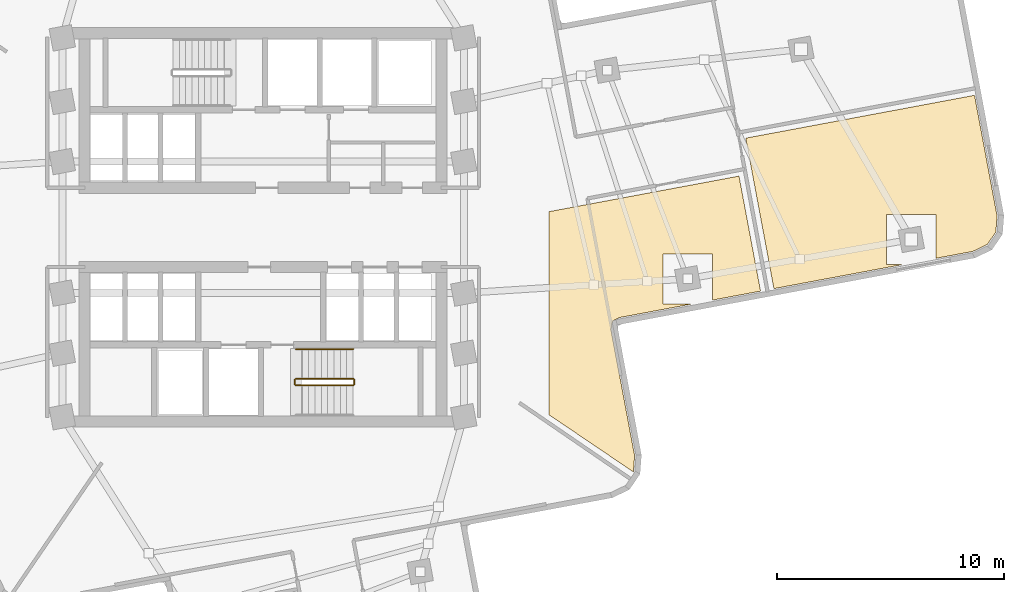
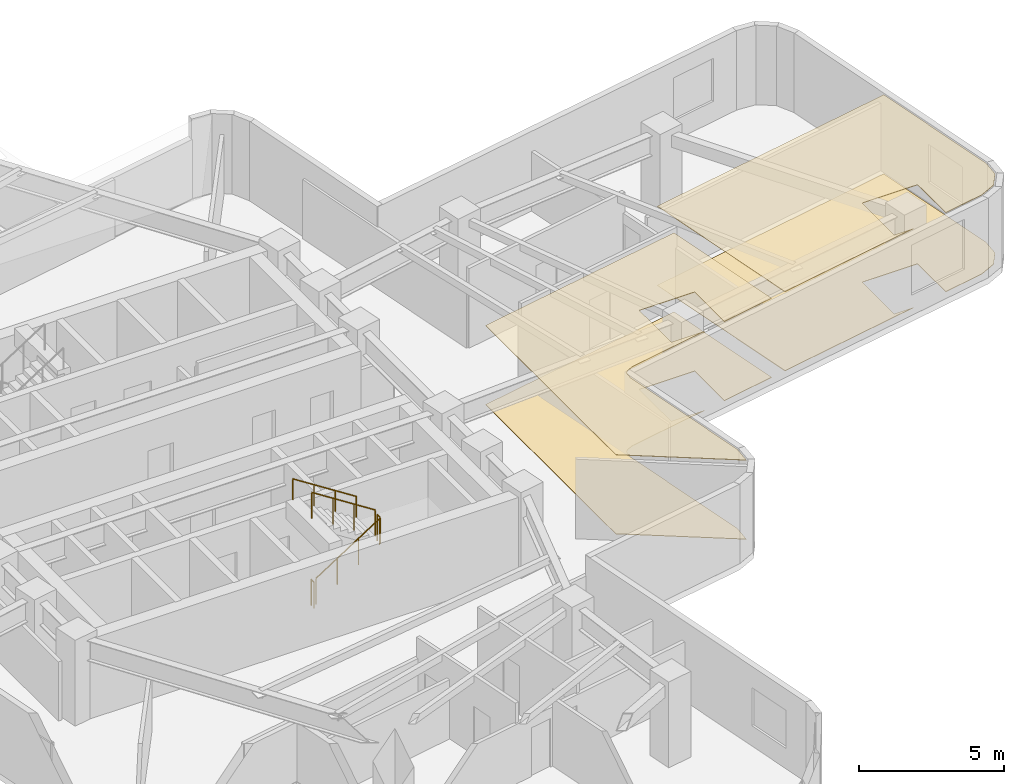
# One storey, part 8 of 9: 5 railings, 4 coverings.
"""IFC4 building model written with IfcOpenShell, lengths in metres."""

from ifc_helpers import new_model, si_unit, direction, frame, origin, origin_2d, place, context, subcontext, project, spatial, polyline, circle, outline, extrude, material, layer, layer_set, type_object, element, save


model = new_model("IFC4")

# Units and contexts
model_context = context("Model", 3, precision=1e-05, world=origin(), true_north=direction((0.0, 1.0)))
body_context = subcontext(model_context, "Body", "Model", "MODEL_VIEW")
ifc_project = project(units=[si_unit("LENGTHUNIT", "METRE"), si_unit("AREAUNIT", "SQUARE_METRE"), si_unit("VOLUMEUNIT", "CUBIC_METRE"), si_unit("PLANEANGLEUNIT", "RADIAN"), si_unit("MASSUNIT", "GRAM", prefix="KILO")], contexts=[model_context])

# Site, building, storey
site_placement = place(None, origin())
site = spatial("IfcSite", under=ifc_project, at=site_placement, CompositionType="ELEMENT")
building_placement = place(site_placement, origin())
building = spatial("IfcBuilding", under=site, at=building_placement, Name="Solmarez Civic Tower", CompositionType="ELEMENT")
storey_placement = place(building_placement, frame((0.0, 0.0, 100.080078125)))
storey = spatial("IfcBuildingStorey", under=building, at=storey_placement, Name="L26", CompositionType="ELEMENT", Elevation=100.080078125)

# Coverings
ifc_material_1 = material(Name="Perforated Mineral-Fibre Acoustic Ceiling")
ifc_layer_1 = layer(ifc_material_1, 0.02490234375)
ifc_layer_set_1 = layer_set([ifc_layer_1], Name="Perforated Mineral-Fibre Acoustic Ceiling")
covering_type_1 = type_object("IfcCoveringType", Name="COV-CEIL-ACOUSTIC", PredefinedType="CEILING", material=ifc_layer_set_1)
covering_1_placement = place(storey_placement, frame((0.0, 0.0, 3.31494140625)))
element("IfcCovering", 1, at=covering_1_placement, inside=storey, type_object=covering_type_1, Name="L26 Suspended Acoustic Ceiling 3", PredefinedType="CEILING", context=body_context, shape_type="SweptSolid", body=[
    extrude(outline(polyline([(12.60009765625, 0.68896484375), (12.60009765625, -8.260986328125), (16.322998046875, -10.781005859375), (16.326904296875, -10.77490234375), (16.381103515625, -10.069091796875), (15.35205078125, -4.56396484375), (15.35009765625, -4.554931640625), (15.34912109375, -4.548095703125), (15.346923828125, -4.51708984375), (15.346923828125, -4.5029296875), (15.347900390625, -4.486083984375), (15.361083984375, -4.31494140625), (15.362060546875, -4.304931640625), (15.363037109375, -4.297119140625), (15.364990234375, -4.280029296875), (15.368896484375, -4.263916015625), (15.37109375, -4.257080078125), (15.373046875, -4.25), (15.383056640625, -4.222900390625), (15.385986328125, -4.216064453125), (15.39697265625, -4.194091796875), (15.40087890625, -4.18701171875), (15.408935546875, -4.174072265625), (15.4130859375, -4.16796875), (15.427001953125, -4.14892578125), (15.431884765625, -4.14306640625), (15.43701171875, -4.136962890625), (15.450927734375, -4.1220703125), (15.467041015625, -4.10693359375), (15.47802734375, -4.09912109375), (15.493896484375, -4.0869140625), (15.511962890625, -4.075927734375), (15.533935546875, -4.06591796875), (15.68408203125, -3.992919921875), (15.701904296875, -3.985107421875), (15.722900390625, -3.97802734375), (15.73291015625, -3.97509765625), (15.739990234375, -3.972900390625), (15.760009765625, -3.968994140625), (18.952880859375, -3.37109375), (17.6240234375, -3.37109375), (17.6240234375, -1.1708984375), (19.823974609375, -1.1708984375), (19.823974609375, -3.2080078125), (21.931884765625, -2.81298828125), (20.98193359375, 2.258056640625), (12.60009765625, 0.68896484375)])), origin(), (0.0, 0.0, 1.0), 0.02490234375),
])
covering_2_placement = place(storey_placement, frame((0.0, 0.0, 3.31494140625)))
element("IfcCovering", 2, at=covering_2_placement, inside=storey, type_object=covering_type_1, Name="L26 Suspended Acoustic Ceiling 4", PredefinedType="CEILING", context=body_context, shape_type="SweptSolid", body=[
    extrude(outline(polyline([(22.52197265625, -2.702880859375), (28.239990234375, -1.633056640625), (27.47607421875, -1.633056640625), (27.47607421875, 0.56689453125), (29.676025390625, 0.56689453125), (29.676025390625, -1.364013671875), (31.2900390625, -1.06201171875), (31.928955078125, -0.756103515625), (32.305908203125, -0.205078125), (32.360107421875, 0.5009765625), (31.364990234375, 5.819091796875), (21.280029296875, 3.930908203125), (22.52197265625, -2.702880859375)])), origin(), (0.0, 0.0, 1.0), 0.02490234375),
])
ifc_material_2 = material(Name="Polished Tropical Stone Terrazzo Flooring", Category="masonry")
ifc_layer_2 = layer(ifc_material_2, 0.02001953125)
ifc_layer_set_2 = layer_set([ifc_layer_2], Name="Polished Tropical Stone Terrazzo Flooring")
covering_type_2 = type_object("IfcCoveringType", Name="COV-FLOOR-TERRAZZO", PredefinedType="FLOORING", material=ifc_layer_set_2)
covering_3_placement = place(storey_placement, origin())
element("IfcCovering", 3, at=covering_3_placement, inside=storey, type_object=covering_type_2, Name="L26 Terrazzo Floor Finish 3", PredefinedType="FLOORING", context=body_context, shape_type="SweptSolid", body=[
    extrude(outline(polyline([(12.60009765625, 0.68896484375), (12.60009765625, -8.260986328125), (16.322998046875, -10.781005859375), (16.326904296875, -10.77490234375), (16.381103515625, -10.069091796875), (15.35205078125, -4.56396484375), (15.35009765625, -4.554931640625), (15.34912109375, -4.548095703125), (15.346923828125, -4.51708984375), (15.346923828125, -4.5029296875), (15.347900390625, -4.486083984375), (15.361083984375, -4.31494140625), (15.362060546875, -4.304931640625), (15.363037109375, -4.297119140625), (15.364990234375, -4.280029296875), (15.368896484375, -4.263916015625), (15.37109375, -4.257080078125), (15.373046875, -4.25), (15.383056640625, -4.222900390625), (15.385986328125, -4.216064453125), (15.39697265625, -4.194091796875), (15.40087890625, -4.18701171875), (15.408935546875, -4.174072265625), (15.4130859375, -4.16796875), (15.427001953125, -4.14892578125), (15.431884765625, -4.14306640625), (15.43701171875, -4.136962890625), (15.450927734375, -4.1220703125), (15.467041015625, -4.10693359375), (15.47802734375, -4.09912109375), (15.493896484375, -4.0869140625), (15.511962890625, -4.075927734375), (15.533935546875, -4.06591796875), (15.68408203125, -3.992919921875), (15.701904296875, -3.985107421875), (15.722900390625, -3.97802734375), (15.73291015625, -3.97509765625), (15.739990234375, -3.972900390625), (15.760009765625, -3.968994140625), (18.952880859375, -3.37109375), (17.6240234375, -3.37109375), (17.6240234375, -1.1708984375), (19.823974609375, -1.1708984375), (19.823974609375, -3.2080078125), (21.931884765625, -2.81298828125), (20.98193359375, 2.258056640625), (12.60009765625, 0.68896484375)])), origin(), (0.0, 0.0, 1.0), 0.02001953125),
])
covering_4_placement = place(storey_placement, origin())
element("IfcCovering", 4, at=covering_4_placement, inside=storey, type_object=covering_type_2, Name="L26 Terrazzo Floor Finish 4", PredefinedType="FLOORING", context=body_context, shape_type="SweptSolid", body=[
    extrude(outline(polyline([(22.52197265625, -2.702880859375), (28.239990234375, -1.633056640625), (27.47607421875, -1.633056640625), (27.47607421875, 0.56689453125), (29.676025390625, 0.56689453125), (29.676025390625, -1.364013671875), (31.2900390625, -1.06201171875), (31.928955078125, -0.756103515625), (32.305908203125, -0.205078125), (32.360107421875, 0.5009765625), (31.364990234375, 5.819091796875), (21.280029296875, 3.930908203125), (22.52197265625, -2.702880859375)])), origin(), (0.0, 0.0, 1.0), 0.02001953125),
])

# Railings
ifc_material_3 = material(Name="Painted Steel Stairwell Safety Guard", Category="steel")
railing_type_1 = type_object("IfcRailingType", Name="GUARD-STAIR-1120", PredefinedType="BALUSTRADE", material=ifc_material_3)
railing_1_placement = place(storey_placement, frame((1.449951171875, -6.969970703125, 0.179931640625)))
element("IfcRailing", 5, at=railing_1_placement, inside=storey, type_object=railing_type_1, Name="L26 ST-2 stair guard 1", PredefinedType="BALUSTRADE", context=body_context, shape_type="SweptSolid", body=[
    extrude(circle(Radius=0.02392578125, at=origin_2d()), frame((0.0, 0.0, 1.09619140625), z_axis=(0.841199657755, 0.0, 0.540724639528), x_axis=(0.0, 1.0, 0.0)), (0.0, 0.0, 1.0), 2.995849609375),
    extrude(circle(Radius=0.02099609375, at=origin_2d()), origin(), (0.0, 0.0, 1.0), 1.072021484375),
    extrude(circle(Radius=0.02099609375, at=origin_2d()), frame((0.840087890625, 0.0, 0.5400390625)), (0.0, 0.0, 1.0), 1.072021484375),
    extrude(circle(Radius=0.02099609375, at=origin_2d()), frame((1.679931640625, 0.0, 1.079833984375)), (0.0, 0.0, 1.0), 1.072021484375),
    extrude(circle(Radius=0.02099609375, at=origin_2d()), frame((2.52001953125, 0.0, 1.619873046875)), (0.0, 0.0, 1.0), 1.072021484375),
])
railing_2_placement = place(storey_placement, frame((4.02001953125, -6.919921875, 1.7998046875)))
element("IfcRailing", 6, at=railing_2_placement, inside=storey, type_object=railing_type_1, Name="L26 ST-2 stair guard 2", PredefinedType="BALUSTRADE", context=body_context, shape_type="SweptSolid", body=[
    extrude(circle(Radius=0.02392578125, at=origin_2d()), frame((0.0, 0.0, 1.09619140625), z_axis=(0.0, 1.0, 0.0), x_axis=(-1.0, 0.0, 0.0)), (0.0, 0.0, 1.0), 0.199951171875),
    extrude(circle(Radius=0.02099609375, at=origin_2d()), origin(), (0.0, 0.0, 1.0), 1.072021484375),
    extrude(circle(Radius=0.02099609375, at=origin_2d()), frame((0.0, 0.199951171875, 0.0)), (0.0, 0.0, 1.0), 1.072021484375),
])
railing_3_placement = place(storey_placement, frame((3.969970703125, -6.669921875, 1.97998046875)))
element("IfcRailing", 7, at=railing_3_placement, inside=storey, type_object=railing_type_1, Name="L26 ST-2 stair guard 3", PredefinedType="BALUSTRADE", context=body_context, shape_type="SweptSolid", body=[
    extrude(circle(Radius=0.02392578125, at=origin_2d()), frame((0.0, 0.0, 1.09619140625), z_axis=(-0.841199657755, 0.0, 0.540724639528), x_axis=(0.0, -1.0, 0.0)), (0.0, 0.0, 1.0), 2.995849609375),
    extrude(circle(Radius=0.02099609375, at=origin_2d()), origin(), (0.0, 0.0, 1.0), 1.072021484375),
    extrude(circle(Radius=0.02099609375, at=origin_2d()), frame((-0.840087890625, 0.0, 0.5400390625)), (0.0, 0.0, 1.0), 1.072021484375),
    extrude(circle(Radius=0.02099609375, at=origin_2d()), frame((-1.679931640625, 0.0, 1.079833984375)), (0.0, 0.0, 1.0), 1.072021484375),
    extrude(circle(Radius=0.02099609375, at=origin_2d()), frame((-2.52001953125, 0.0, 1.619873046875)), (0.0, 0.0, 1.0), 1.072021484375),
])
railing_4_placement = place(storey_placement, frame((1.39990234375, -6.919921875, 0.0)))
element("IfcRailing", 8, at=railing_4_placement, inside=storey, type_object=railing_type_1, Name="L26 ST-2 stair guard 4", PredefinedType="BALUSTRADE", context=body_context, shape_type="SweptSolid", body=[
    extrude(circle(Radius=0.02392578125, at=origin_2d()), frame((0.0, 0.0, 1.09619140625), z_axis=(0.0, 1.0, 0.0), x_axis=(-1.0, 0.0, 0.0)), (0.0, 0.0, 1.0), 0.199951171875),
    extrude(circle(Radius=0.02099609375, at=origin_2d()), origin(), (0.0, 0.0, 1.0), 1.072021484375),
    extrude(circle(Radius=0.02099609375, at=origin_2d()), frame((0.0, 0.199951171875, 0.0)), (0.0, 0.0, 1.0), 1.072021484375),
])
ifc_material_4 = material(Name="Brushed Stainless Steel Tube Handrail", Category="steel")
railing_type_2 = type_object("IfcRailingType", Name="HANDRAIL-STAIR-900", PredefinedType="HANDRAIL", material=ifc_material_4)
railing_5_placement = place(storey_placement, frame((3.969970703125, -5.3701171875, 1.97998046875)))
element("IfcRailing", 9, at=railing_5_placement, inside=storey, type_object=railing_type_2, Name="L26 ST-2 stair handrail 2", PredefinedType="HANDRAIL", context=body_context, shape_type="SweptSolid", body=[
    extrude(circle(Radius=0.02392578125, at=origin_2d()), frame((0.0, 0.0, 0.8759765625), z_axis=(-0.841199657755, 0.0, 0.540724639528), x_axis=(0.0, -1.0, 0.0)), (0.0, 0.0, 1.0), 2.995849609375),
    extrude(circle(Radius=0.02099609375, at=origin_2d()), origin(), (0.0, 0.0, 1.0), 0.851806640625),
    extrude(circle(Radius=0.02099609375, at=origin_2d()), frame((-0.840087890625, 0.0, 0.5400390625)), (0.0, 0.0, 1.0), 0.851806640625),
    extrude(circle(Radius=0.02099609375, at=origin_2d()), frame((-1.679931640625, 0.0, 1.079833984375)), (0.0, 0.0, 1.0), 0.851806640625),
    extrude(circle(Radius=0.02099609375, at=origin_2d()), frame((-2.52001953125, 0.0, 1.619873046875)), (0.0, 0.0, 1.0), 0.851806640625),
])

save(model, "model.ifc")
